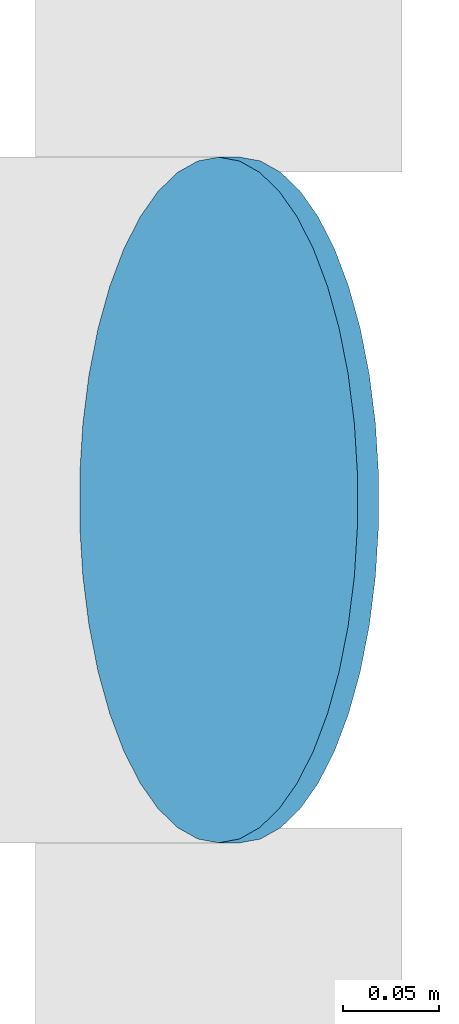
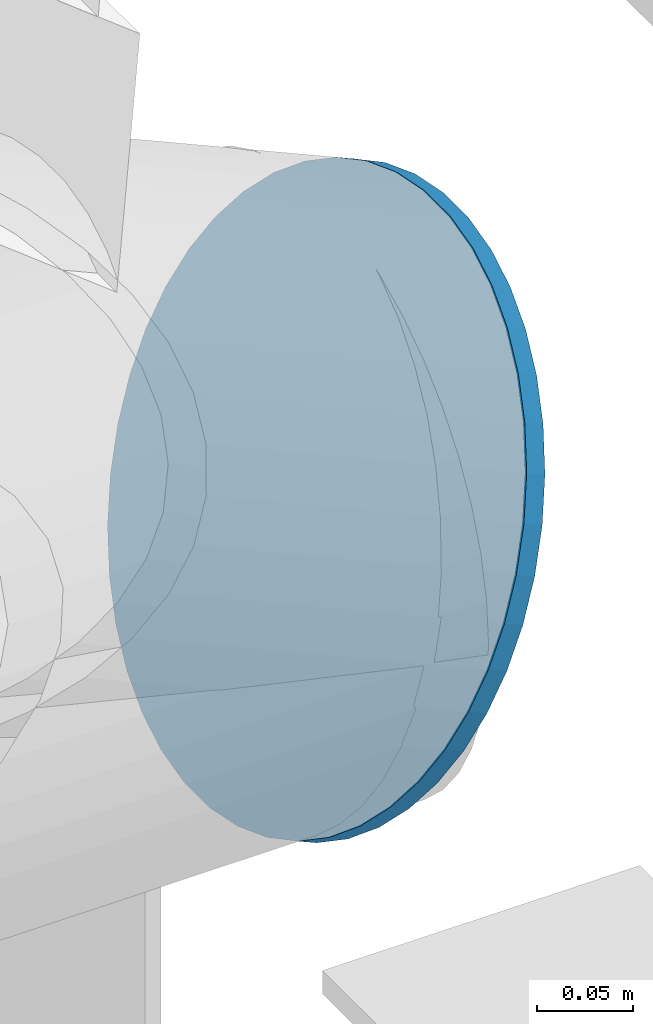
# One storey, part 312 of 321: 1 discrete accessory.
"""IFC4 building model written with IfcOpenShell, lengths in metres."""

from ifc_helpers import new_model, si_unit, direction, frame, origin, origin_2d, place, context, subcontext, project, spatial, circle, extrude, material, material_profile, profile_set, type_object, element, save


model = new_model("IFC4")

# Units and contexts
model_context = context("Model", 3, precision=1e-05, world=origin(), true_north=direction((0.0, 1.0)))
body_context = subcontext(model_context, "Body", "Model", "MODEL_VIEW")
ifc_project = project(units=[si_unit("LENGTHUNIT", "METRE"), si_unit("AREAUNIT", "SQUARE_METRE"), si_unit("VOLUMEUNIT", "CUBIC_METRE"), si_unit("PLANEANGLEUNIT", "RADIAN"), si_unit("MASSUNIT", "GRAM", prefix="KILO")], contexts=[model_context])

# Site, building, storey
site_placement = place(None, origin())
site = spatial("IfcSite", under=ifc_project, at=site_placement, CompositionType="ELEMENT")
building_placement = place(site_placement, origin())
building = spatial("IfcBuilding", under=site, at=building_placement, Name="Ravi Spectrum Wholesale Market", CompositionType="ELEMENT")
storey_placement = place(building_placement, frame((0.0, 0.0, 10.800048828125)))
storey = spatial("IfcBuildingStorey", under=building, at=storey_placement, Name="L02", CompositionType="ELEMENT", Elevation=10.800048828125)

# Discrete accessory
ifc_material = material(Name="Steel S355", Category="steel")
ifc_material_profile = material_profile(ifc_material, circle(Radius=0.177734375, at=origin_2d()))
ifc_profile_set = profile_set([ifc_material_profile], Name="Steel S355")
discrete_accessory_type = type_object("IfcDiscreteAccessoryType", Name="End plate CHS 355.6x12.5", PredefinedType="BRACKET", material=ifc_profile_set)
discrete_accessory_placement = place(storey_placement, frame((198.0, 222.0, 0.161865234375), z_axis=(0.91381154862, 0.0, -0.406138466053), x_axis=(0.0, 1.0, 0.0)))
element("IfcDiscreteAccessory", 1, at=discrete_accessory_placement, inside=storey, type_object=discrete_accessory_type, Name="End plate", PredefinedType="BRACKET", context=body_context, shape_type="SweptSolid", body=[
    extrude(circle(Radius=0.177734375, at=origin_2d()), origin(), (0.0, 0.0, 1.0), 0.011962890625),
])

save(model, "model.ifc")
